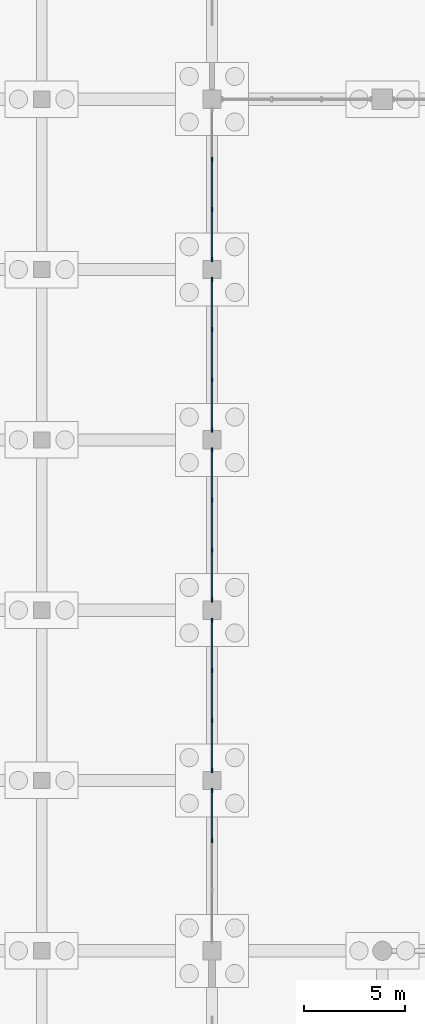
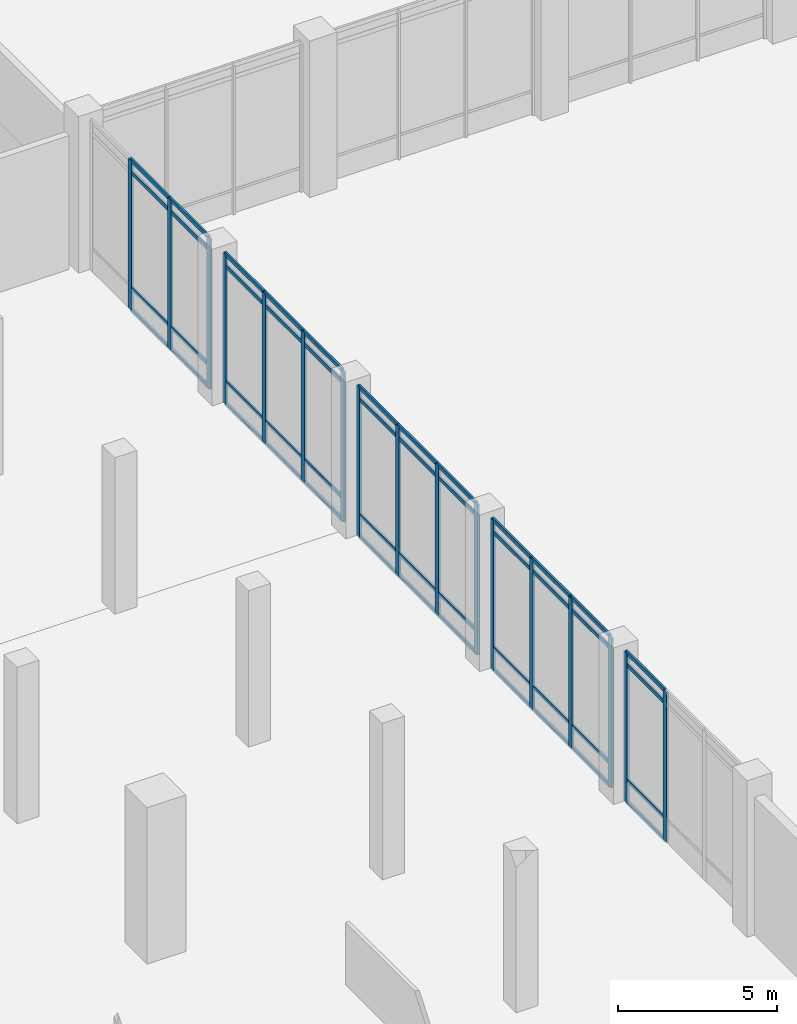
# One storey, part 24 of 72: 65 members, 5 elements without a shape of their own.
"""IFC4 building model written with IfcOpenShell, lengths in metres."""

from ifc_helpers import new_model, si_unit, direction, frame, origin, origin_2d, place, context, subcontext, project, spatial, rectangle, extrude, material, layer, layer_set, material_profile, profile_set, type_object, element, aggregate, save


model = new_model("IFC4")

# Units and contexts
model_context = context("Model", 3, precision=1e-05, world=origin(), true_north=direction((0.0, 1.0)))
body_context = subcontext(model_context, "Body", "Model", "MODEL_VIEW")
ifc_project = project(units=[si_unit("LENGTHUNIT", "METRE"), si_unit("AREAUNIT", "SQUARE_METRE"), si_unit("VOLUMEUNIT", "CUBIC_METRE"), si_unit("PLANEANGLEUNIT", "RADIAN"), si_unit("MASSUNIT", "GRAM", prefix="KILO")], contexts=[model_context])

# Site, building, storey
site_placement = place(None, origin())
site = spatial("IfcSite", under=ifc_project, at=site_placement, CompositionType="ELEMENT")
building_placement = place(site_placement, origin())
building = spatial("IfcBuilding", under=site, at=building_placement, Name="Qawsi Khor Wholesale Market", CompositionType="ELEMENT")
storey_placement = place(building_placement, origin())
storey = spatial("IfcBuildingStorey", under=building, at=storey_placement, Name="L00", CompositionType="ELEMENT", Elevation=0.0)

# Curtain wall, members
ifc_material = material(Name="Aluminium Anodised Bronze", Category="aluminium")
ifc_layer = layer(ifc_material, 0.199951171875, Name="Aluminium Anodised Bronze")
ifc_layer_set = layer_set([ifc_layer], Name="Aluminium Anodised Bronze")
curtain_wall_type = type_object("IfcCurtainWallType", Name="Trading Hall North-Light Curtain Wall CW-03", PredefinedType="NOTDEFINED", material=ifc_layer_set)
curtain_wall_1_placement = place(storey_placement, origin())
curtain_wall_1 = element("IfcCurtainWall", 1, at=curtain_wall_1_placement, inside=storey, type_object=curtain_wall_type, Name="Curtain wall CW-CW-03-L00-072", PredefinedType="NOTDEFINED")
ifc_material_profile_1 = material_profile(ifc_material, rectangle(XDim=0.074951171875, YDim=0.219970703125, at=origin_2d()), Name="ALU MULLION 75x220")
ifc_profile_set_1 = profile_set([ifc_material_profile_1], Name="Aluminium Anodised Bronze")
member_type_1 = type_object("IfcMemberType", Name="Curtain Wall Mullion CW-03 ALU MULLION 75x220", PredefinedType="MULLION", material=ifc_profile_set_1)
member_1_placement = place(storey_placement, frame((75.60009765625, 55.834228515625, -0.02001953125), z_axis=(0.0, 0.0, 1.0), x_axis=(1.0, 0.0, 0.0)))
member_1 = element("IfcMember", 2, at=member_1_placement, type_object=member_type_1, Name="Mullion CW-CW-03-L00-072-M02", PredefinedType="MULLION", context=body_context, shape_type="SweptSolid", body=[
    extrude(rectangle(XDim=0.074951171875, YDim=0.219970703125, at=origin_2d()), origin(), (0.0, 0.0, 1.0), 5.75),
])
member_2_placement = place(storey_placement, frame((75.60009765625, 58.302490234375, -0.02001953125), z_axis=(0.0, 0.0, 1.0), x_axis=(1.0, 0.0, 0.0)))
member_2 = element("IfcMember", 3, at=member_2_placement, type_object=member_type_1, Name="Mullion CW-CW-03-L00-072-M03", PredefinedType="MULLION", context=body_context, shape_type="SweptSolid", body=[
    extrude(rectangle(XDim=0.074951171875, YDim=0.219970703125, at=origin_2d()), origin(), (0.0, 0.0, 1.0), 5.75),
])

curtain_wall_2_placement = place(storey_placement, origin())
curtain_wall_2 = element("IfcCurtainWall", 4, at=curtain_wall_2_placement, inside=storey, type_object=curtain_wall_type, Name="Curtain wall CW-CW-03-L00-077", PredefinedType="NOTDEFINED")
member_3_placement = place(storey_placement, frame((75.60009765625, 59.297607421875, -0.02001953125), z_axis=(0.0, 0.0, 1.0), x_axis=(1.0, 0.0, 0.0)))
member_3 = element("IfcMember", 5, at=member_3_placement, type_object=member_type_1, Name="Mullion CW-CW-03-L00-077-M00", PredefinedType="MULLION", context=body_context, shape_type="SweptSolid", body=[
    extrude(rectangle(XDim=0.074951171875, YDim=0.219970703125, at=origin_2d()), origin(), (0.0, 0.0, 1.0), 5.75),
])
member_4_placement = place(storey_placement, frame((75.60009765625, 61.765869140625, -0.02001953125), z_axis=(0.0, 0.0, 1.0), x_axis=(1.0, 0.0, 0.0)))
member_4 = element("IfcMember", 6, at=member_4_placement, type_object=member_type_1, Name="Mullion CW-CW-03-L00-077-M01", PredefinedType="MULLION", context=body_context, shape_type="SweptSolid", body=[
    extrude(rectangle(XDim=0.074951171875, YDim=0.219970703125, at=origin_2d()), origin(), (0.0, 0.0, 1.0), 5.75),
])
member_5_placement = place(storey_placement, frame((75.60009765625, 64.234130859375, -0.02001953125), z_axis=(0.0, 0.0, 1.0), x_axis=(1.0, 0.0, 0.0)))
member_5 = element("IfcMember", 7, at=member_5_placement, type_object=member_type_1, Name="Mullion CW-CW-03-L00-077-M02", PredefinedType="MULLION", context=body_context, shape_type="SweptSolid", body=[
    extrude(rectangle(XDim=0.074951171875, YDim=0.219970703125, at=origin_2d()), origin(), (0.0, 0.0, 1.0), 5.75),
])
member_6_placement = place(storey_placement, frame((75.60009765625, 66.702392578125, -0.02001953125), z_axis=(0.0, 0.0, 1.0), x_axis=(1.0, 0.0, 0.0)))
member_6 = element("IfcMember", 8, at=member_6_placement, type_object=member_type_1, Name="Mullion CW-CW-03-L00-077-M03", PredefinedType="MULLION", context=body_context, shape_type="SweptSolid", body=[
    extrude(rectangle(XDim=0.074951171875, YDim=0.219970703125, at=origin_2d()), origin(), (0.0, 0.0, 1.0), 5.75),
])

curtain_wall_3_placement = place(storey_placement, origin())
curtain_wall_3 = element("IfcCurtainWall", 9, at=curtain_wall_3_placement, inside=storey, type_object=curtain_wall_type, Name="Curtain wall CW-CW-03-L00-082", PredefinedType="NOTDEFINED")
member_7_placement = place(storey_placement, frame((75.60009765625, 67.697509765625, -0.02001953125), z_axis=(0.0, 0.0, 1.0), x_axis=(1.0, 0.0, 0.0)))
member_7 = element("IfcMember", 10, at=member_7_placement, type_object=member_type_1, Name="Mullion CW-CW-03-L00-082-M00", PredefinedType="MULLION", context=body_context, shape_type="SweptSolid", body=[
    extrude(rectangle(XDim=0.074951171875, YDim=0.219970703125, at=origin_2d()), origin(), (0.0, 0.0, 1.0), 5.75),
])
member_8_placement = place(storey_placement, frame((75.60009765625, 70.165771484375, -0.02001953125), z_axis=(0.0, 0.0, 1.0), x_axis=(1.0, 0.0, 0.0)))
member_8 = element("IfcMember", 11, at=member_8_placement, type_object=member_type_1, Name="Mullion CW-CW-03-L00-082-M01", PredefinedType="MULLION", context=body_context, shape_type="SweptSolid", body=[
    extrude(rectangle(XDim=0.074951171875, YDim=0.219970703125, at=origin_2d()), origin(), (0.0, 0.0, 1.0), 5.75),
])
member_9_placement = place(storey_placement, frame((75.60009765625, 72.63427734375, -0.02001953125), z_axis=(0.0, 0.0, 1.0), x_axis=(1.0, 0.0, 0.0)))
member_9 = element("IfcMember", 12, at=member_9_placement, type_object=member_type_1, Name="Mullion CW-CW-03-L00-082-M02", PredefinedType="MULLION", context=body_context, shape_type="SweptSolid", body=[
    extrude(rectangle(XDim=0.074951171875, YDim=0.219970703125, at=origin_2d()), origin(), (0.0, 0.0, 1.0), 5.75),
])
member_10_placement = place(storey_placement, frame((75.60009765625, 75.1025390625, -0.02001953125), z_axis=(0.0, 0.0, 1.0), x_axis=(1.0, 0.0, 0.0)))
member_10 = element("IfcMember", 13, at=member_10_placement, type_object=member_type_1, Name="Mullion CW-CW-03-L00-082-M03", PredefinedType="MULLION", context=body_context, shape_type="SweptSolid", body=[
    extrude(rectangle(XDim=0.074951171875, YDim=0.219970703125, at=origin_2d()), origin(), (0.0, 0.0, 1.0), 5.75),
])

curtain_wall_4_placement = place(storey_placement, origin())
curtain_wall_4 = element("IfcCurtainWall", 14, at=curtain_wall_4_placement, inside=storey, type_object=curtain_wall_type, Name="Curtain wall CW-CW-03-L00-087", PredefinedType="NOTDEFINED")
member_11_placement = place(storey_placement, frame((75.60009765625, 76.097412109375, -0.02001953125), z_axis=(0.0, 0.0, 1.0), x_axis=(1.0, 0.0, 0.0)))
member_11 = element("IfcMember", 15, at=member_11_placement, type_object=member_type_1, Name="Mullion CW-CW-03-L00-087-M00", PredefinedType="MULLION", context=body_context, shape_type="SweptSolid", body=[
    extrude(rectangle(XDim=0.074951171875, YDim=0.219970703125, at=origin_2d()), origin(), (0.0, 0.0, 1.0), 5.75),
])
member_12_placement = place(storey_placement, frame((75.60009765625, 78.56591796875, -0.02001953125), z_axis=(0.0, 0.0, 1.0), x_axis=(1.0, 0.0, 0.0)))
member_12 = element("IfcMember", 16, at=member_12_placement, type_object=member_type_1, Name="Mullion CW-CW-03-L00-087-M01", PredefinedType="MULLION", context=body_context, shape_type="SweptSolid", body=[
    extrude(rectangle(XDim=0.074951171875, YDim=0.219970703125, at=origin_2d()), origin(), (0.0, 0.0, 1.0), 5.75),
])
member_13_placement = place(storey_placement, frame((75.60009765625, 81.0341796875, -0.02001953125), z_axis=(0.0, 0.0, 1.0), x_axis=(1.0, 0.0, 0.0)))
member_13 = element("IfcMember", 17, at=member_13_placement, type_object=member_type_1, Name="Mullion CW-CW-03-L00-087-M02", PredefinedType="MULLION", context=body_context, shape_type="SweptSolid", body=[
    extrude(rectangle(XDim=0.074951171875, YDim=0.219970703125, at=origin_2d()), origin(), (0.0, 0.0, 1.0), 5.75),
])
member_14_placement = place(storey_placement, frame((75.60009765625, 83.50244140625, -0.02001953125), z_axis=(0.0, 0.0, 1.0), x_axis=(1.0, 0.0, 0.0)))
member_14 = element("IfcMember", 18, at=member_14_placement, type_object=member_type_1, Name="Mullion CW-CW-03-L00-087-M03", PredefinedType="MULLION", context=body_context, shape_type="SweptSolid", body=[
    extrude(rectangle(XDim=0.074951171875, YDim=0.219970703125, at=origin_2d()), origin(), (0.0, 0.0, 1.0), 5.75),
])

curtain_wall_5_placement = place(storey_placement, origin())
curtain_wall_5 = element("IfcCurtainWall", 19, at=curtain_wall_5_placement, inside=storey, type_object=curtain_wall_type, Name="Curtain wall CW-CW-03-L00-092", PredefinedType="NOTDEFINED")
member_15_placement = place(storey_placement, frame((75.60009765625, 84.49755859375, -0.02001953125), z_axis=(0.0, 0.0, 1.0), x_axis=(1.0, 0.0, 0.0)))
member_15 = element("IfcMember", 20, at=member_15_placement, type_object=member_type_1, Name="Mullion CW-CW-03-L00-092-M00", PredefinedType="MULLION", context=body_context, shape_type="SweptSolid", body=[
    extrude(rectangle(XDim=0.074951171875, YDim=0.219970703125, at=origin_2d()), origin(), (0.0, 0.0, 1.0), 5.75),
])
member_16_placement = place(storey_placement, frame((75.60009765625, 86.9658203125, -0.02001953125), z_axis=(0.0, 0.0, 1.0), x_axis=(1.0, 0.0, 0.0)))
member_16 = element("IfcMember", 21, at=member_16_placement, type_object=member_type_1, Name="Mullion CW-CW-03-L00-092-M01", PredefinedType="MULLION", context=body_context, shape_type="SweptSolid", body=[
    extrude(rectangle(XDim=0.074951171875, YDim=0.219970703125, at=origin_2d()), origin(), (0.0, 0.0, 1.0), 5.75),
])
member_17_placement = place(storey_placement, frame((75.60009765625, 89.43408203125, -0.02001953125), z_axis=(0.0, 0.0, 1.0), x_axis=(1.0, 0.0, 0.0)))
member_17 = element("IfcMember", 22, at=member_17_placement, type_object=member_type_1, Name="Mullion CW-CW-03-L00-092-M02", PredefinedType="MULLION", context=body_context, shape_type="SweptSolid", body=[
    extrude(rectangle(XDim=0.074951171875, YDim=0.219970703125, at=origin_2d()), origin(), (0.0, 0.0, 1.0), 5.75),
])

# Member
ifc_material_profile_2 = material_profile(ifc_material, rectangle(XDim=0.070068359375, YDim=0.14990234375, at=origin_2d()), Name="ALU TRANSOM 70x150")
ifc_profile_set_2 = profile_set([ifc_material_profile_2], Name="Aluminium Anodised Bronze")
member_type_2 = type_object("IfcMemberType", Name="Curtain Wall Transom CW-03 ALU TRANSOM 70x150", PredefinedType="USERDEFINED", material=ifc_profile_set_2)
member_18_placement = place(storey_placement, frame((75.60009765625, 55.834228515625, 0.0), z_axis=(0.0, 1.0, 0.0), x_axis=(-1.0, 0.0, 0.0)))
member_18 = element("IfcMember", 23, at=member_18_placement, type_object=member_type_2, Name="Transom CW-CW-03-L00-072-T0_02", ObjectType="TRANSOM", PredefinedType="USERDEFINED", context=body_context, shape_type="SweptSolid", body=[
    extrude(rectangle(XDim=0.070068359375, YDim=0.14990234375, at=origin_2d()), origin(), (0.0, 0.0, 1.0), 2.46826171875),
])

member_19_placement = place(storey_placement, frame((75.60009765625, 55.834228515625, 0.85009765625), z_axis=(0.0, 1.0, 0.0), x_axis=(-1.0, 0.0, 0.0)))
member_19 = element("IfcMember", 24, at=member_19_placement, type_object=member_type_2, Name="Transom CW-CW-03-L00-072-T1_02", ObjectType="TRANSOM", PredefinedType="USERDEFINED", context=body_context, shape_type="SweptSolid", body=[
    extrude(rectangle(XDim=0.070068359375, YDim=0.14990234375, at=origin_2d()), origin(), (0.0, 0.0, 1.0), 2.46826171875),
])

member_20_placement = place(storey_placement, frame((75.60009765625, 55.834228515625, 5.280029296875), z_axis=(0.0, 1.0, 0.0), x_axis=(-1.0, 0.0, 0.0)))
member_20 = element("IfcMember", 25, at=member_20_placement, type_object=member_type_2, Name="Transom CW-CW-03-L00-072-T2_02", ObjectType="TRANSOM", PredefinedType="USERDEFINED", context=body_context, shape_type="SweptSolid", body=[
    extrude(rectangle(XDim=0.070068359375, YDim=0.14990234375, at=origin_2d()), origin(), (0.0, 0.0, 1.0), 2.46826171875),
])

member_21_placement = place(storey_placement, frame((75.60009765625, 55.834228515625, 5.72998046875), z_axis=(0.0, 1.0, 0.0), x_axis=(-1.0, 0.0, 0.0)))
member_21 = element("IfcMember", 26, at=member_21_placement, type_object=member_type_2, Name="Transom CW-CW-03-L00-072-T3_02", ObjectType="TRANSOM", PredefinedType="USERDEFINED", context=body_context, shape_type="SweptSolid", body=[
    extrude(rectangle(XDim=0.070068359375, YDim=0.14990234375, at=origin_2d()), origin(), (0.0, 0.0, 1.0), 2.46826171875),
])

aggregate(curtain_wall_1, [member_1, member_2, member_18, member_19, member_20, member_21])

member_22_placement = place(storey_placement, frame((75.60009765625, 59.297607421875, 0.0), z_axis=(0.0, 1.0, 0.0), x_axis=(-1.0, 0.0, 0.0)))
member_22 = element("IfcMember", 27, at=member_22_placement, type_object=member_type_2, Name="Transom CW-CW-03-L00-077-T0_00", ObjectType="TRANSOM", PredefinedType="USERDEFINED", context=body_context, shape_type="SweptSolid", body=[
    extrude(rectangle(XDim=0.070068359375, YDim=0.14990234375, at=origin_2d()), origin(), (0.0, 0.0, 1.0), 2.46826171875),
])

member_23_placement = place(storey_placement, frame((75.60009765625, 61.765869140625, 0.0), z_axis=(0.0, 1.0, 0.0), x_axis=(-1.0, 0.0, 0.0)))
member_23 = element("IfcMember", 28, at=member_23_placement, type_object=member_type_2, Name="Transom CW-CW-03-L00-077-T0_01", ObjectType="TRANSOM", PredefinedType="USERDEFINED", context=body_context, shape_type="SweptSolid", body=[
    extrude(rectangle(XDim=0.070068359375, YDim=0.14990234375, at=origin_2d()), origin(), (0.0, 0.0, 1.0), 2.46826171875),
])

member_24_placement = place(storey_placement, frame((75.60009765625, 64.234130859375, 0.0), z_axis=(0.0, 1.0, 0.0), x_axis=(-1.0, 0.0, 0.0)))
member_24 = element("IfcMember", 29, at=member_24_placement, type_object=member_type_2, Name="Transom CW-CW-03-L00-077-T0_02", ObjectType="TRANSOM", PredefinedType="USERDEFINED", context=body_context, shape_type="SweptSolid", body=[
    extrude(rectangle(XDim=0.070068359375, YDim=0.14990234375, at=origin_2d()), origin(), (0.0, 0.0, 1.0), 2.46826171875),
])

member_25_placement = place(storey_placement, frame((75.60009765625, 59.297607421875, 0.85009765625), z_axis=(0.0, 1.0, 0.0), x_axis=(-1.0, 0.0, 0.0)))
member_25 = element("IfcMember", 30, at=member_25_placement, type_object=member_type_2, Name="Transom CW-CW-03-L00-077-T1_00", ObjectType="TRANSOM", PredefinedType="USERDEFINED", context=body_context, shape_type="SweptSolid", body=[
    extrude(rectangle(XDim=0.070068359375, YDim=0.14990234375, at=origin_2d()), origin(), (0.0, 0.0, 1.0), 2.46826171875),
])

member_26_placement = place(storey_placement, frame((75.60009765625, 61.765869140625, 0.85009765625), z_axis=(0.0, 1.0, 0.0), x_axis=(-1.0, 0.0, 0.0)))
member_26 = element("IfcMember", 31, at=member_26_placement, type_object=member_type_2, Name="Transom CW-CW-03-L00-077-T1_01", ObjectType="TRANSOM", PredefinedType="USERDEFINED", context=body_context, shape_type="SweptSolid", body=[
    extrude(rectangle(XDim=0.070068359375, YDim=0.14990234375, at=origin_2d()), origin(), (0.0, 0.0, 1.0), 2.46826171875),
])

member_27_placement = place(storey_placement, frame((75.60009765625, 64.234130859375, 0.85009765625), z_axis=(0.0, 1.0, 0.0), x_axis=(-1.0, 0.0, 0.0)))
member_27 = element("IfcMember", 32, at=member_27_placement, type_object=member_type_2, Name="Transom CW-CW-03-L00-077-T1_02", ObjectType="TRANSOM", PredefinedType="USERDEFINED", context=body_context, shape_type="SweptSolid", body=[
    extrude(rectangle(XDim=0.070068359375, YDim=0.14990234375, at=origin_2d()), origin(), (0.0, 0.0, 1.0), 2.46826171875),
])

member_28_placement = place(storey_placement, frame((75.60009765625, 59.297607421875, 5.280029296875), z_axis=(0.0, 1.0, 0.0), x_axis=(-1.0, 0.0, 0.0)))
member_28 = element("IfcMember", 33, at=member_28_placement, type_object=member_type_2, Name="Transom CW-CW-03-L00-077-T2_00", ObjectType="TRANSOM", PredefinedType="USERDEFINED", context=body_context, shape_type="SweptSolid", body=[
    extrude(rectangle(XDim=0.070068359375, YDim=0.14990234375, at=origin_2d()), origin(), (0.0, 0.0, 1.0), 2.46826171875),
])

member_29_placement = place(storey_placement, frame((75.60009765625, 61.765869140625, 5.280029296875), z_axis=(0.0, 1.0, 0.0), x_axis=(-1.0, 0.0, 0.0)))
member_29 = element("IfcMember", 34, at=member_29_placement, type_object=member_type_2, Name="Transom CW-CW-03-L00-077-T2_01", ObjectType="TRANSOM", PredefinedType="USERDEFINED", context=body_context, shape_type="SweptSolid", body=[
    extrude(rectangle(XDim=0.070068359375, YDim=0.14990234375, at=origin_2d()), origin(), (0.0, 0.0, 1.0), 2.46826171875),
])

member_30_placement = place(storey_placement, frame((75.60009765625, 64.234130859375, 5.280029296875), z_axis=(0.0, 1.0, 0.0), x_axis=(-1.0, 0.0, 0.0)))
member_30 = element("IfcMember", 35, at=member_30_placement, type_object=member_type_2, Name="Transom CW-CW-03-L00-077-T2_02", ObjectType="TRANSOM", PredefinedType="USERDEFINED", context=body_context, shape_type="SweptSolid", body=[
    extrude(rectangle(XDim=0.070068359375, YDim=0.14990234375, at=origin_2d()), origin(), (0.0, 0.0, 1.0), 2.46826171875),
])

member_31_placement = place(storey_placement, frame((75.60009765625, 59.297607421875, 5.72998046875), z_axis=(0.0, 1.0, 0.0), x_axis=(-1.0, 0.0, 0.0)))
member_31 = element("IfcMember", 36, at=member_31_placement, type_object=member_type_2, Name="Transom CW-CW-03-L00-077-T3_00", ObjectType="TRANSOM", PredefinedType="USERDEFINED", context=body_context, shape_type="SweptSolid", body=[
    extrude(rectangle(XDim=0.070068359375, YDim=0.14990234375, at=origin_2d()), origin(), (0.0, 0.0, 1.0), 2.46826171875),
])

member_32_placement = place(storey_placement, frame((75.60009765625, 61.765869140625, 5.72998046875), z_axis=(0.0, 1.0, 0.0), x_axis=(-1.0, 0.0, 0.0)))
member_32 = element("IfcMember", 37, at=member_32_placement, type_object=member_type_2, Name="Transom CW-CW-03-L00-077-T3_01", ObjectType="TRANSOM", PredefinedType="USERDEFINED", context=body_context, shape_type="SweptSolid", body=[
    extrude(rectangle(XDim=0.070068359375, YDim=0.14990234375, at=origin_2d()), origin(), (0.0, 0.0, 1.0), 2.46826171875),
])

member_33_placement = place(storey_placement, frame((75.60009765625, 64.234130859375, 5.72998046875), z_axis=(0.0, 1.0, 0.0), x_axis=(-1.0, 0.0, 0.0)))
member_33 = element("IfcMember", 38, at=member_33_placement, type_object=member_type_2, Name="Transom CW-CW-03-L00-077-T3_02", ObjectType="TRANSOM", PredefinedType="USERDEFINED", context=body_context, shape_type="SweptSolid", body=[
    extrude(rectangle(XDim=0.070068359375, YDim=0.14990234375, at=origin_2d()), origin(), (0.0, 0.0, 1.0), 2.46826171875),
])

aggregate(curtain_wall_2, [member_3, member_4, member_5, member_6, member_22, member_23, member_24, member_25, member_26, member_27, member_28, member_29, member_30, member_31, member_32, member_33])

member_34_placement = place(storey_placement, frame((75.60009765625, 67.697509765625, 0.0), z_axis=(0.0, 1.0, 0.0), x_axis=(-1.0, 0.0, 0.0)))
member_34 = element("IfcMember", 39, at=member_34_placement, type_object=member_type_2, Name="Transom CW-CW-03-L00-082-T0_00", ObjectType="TRANSOM", PredefinedType="USERDEFINED", context=body_context, shape_type="SweptSolid", body=[
    extrude(rectangle(XDim=0.070068359375, YDim=0.14990234375, at=origin_2d()), origin(), (0.0, 0.0, 1.0), 2.46826171875),
])

member_35_placement = place(storey_placement, frame((75.60009765625, 70.165771484375, 0.0), z_axis=(0.0, 1.0, 0.0), x_axis=(-1.0, 0.0, 0.0)))
member_35 = element("IfcMember", 40, at=member_35_placement, type_object=member_type_2, Name="Transom CW-CW-03-L00-082-T0_01", ObjectType="TRANSOM", PredefinedType="USERDEFINED", context=body_context, shape_type="SweptSolid", body=[
    extrude(rectangle(XDim=0.070068359375, YDim=0.14990234375, at=origin_2d()), origin(), (0.0, 0.0, 1.0), 2.468505859375),
])

member_36_placement = place(storey_placement, frame((75.60009765625, 72.63427734375, 0.0), z_axis=(0.0, 1.0, 0.0), x_axis=(-1.0, 0.0, 0.0)))
member_36 = element("IfcMember", 41, at=member_36_placement, type_object=member_type_2, Name="Transom CW-CW-03-L00-082-T0_02", ObjectType="TRANSOM", PredefinedType="USERDEFINED", context=body_context, shape_type="SweptSolid", body=[
    extrude(rectangle(XDim=0.070068359375, YDim=0.14990234375, at=origin_2d()), origin(), (0.0, 0.0, 1.0), 2.46826171875),
])

member_37_placement = place(storey_placement, frame((75.60009765625, 67.697509765625, 0.85009765625), z_axis=(0.0, 1.0, 0.0), x_axis=(-1.0, 0.0, 0.0)))
member_37 = element("IfcMember", 42, at=member_37_placement, type_object=member_type_2, Name="Transom CW-CW-03-L00-082-T1_00", ObjectType="TRANSOM", PredefinedType="USERDEFINED", context=body_context, shape_type="SweptSolid", body=[
    extrude(rectangle(XDim=0.070068359375, YDim=0.14990234375, at=origin_2d()), origin(), (0.0, 0.0, 1.0), 2.46826171875),
])

member_38_placement = place(storey_placement, frame((75.60009765625, 70.165771484375, 0.85009765625), z_axis=(0.0, 1.0, 0.0), x_axis=(-1.0, 0.0, 0.0)))
member_38 = element("IfcMember", 43, at=member_38_placement, type_object=member_type_2, Name="Transom CW-CW-03-L00-082-T1_01", ObjectType="TRANSOM", PredefinedType="USERDEFINED", context=body_context, shape_type="SweptSolid", body=[
    extrude(rectangle(XDim=0.070068359375, YDim=0.14990234375, at=origin_2d()), origin(), (0.0, 0.0, 1.0), 2.468505859375),
])

member_39_placement = place(storey_placement, frame((75.60009765625, 72.63427734375, 0.85009765625), z_axis=(0.0, 1.0, 0.0), x_axis=(-1.0, 0.0, 0.0)))
member_39 = element("IfcMember", 44, at=member_39_placement, type_object=member_type_2, Name="Transom CW-CW-03-L00-082-T1_02", ObjectType="TRANSOM", PredefinedType="USERDEFINED", context=body_context, shape_type="SweptSolid", body=[
    extrude(rectangle(XDim=0.070068359375, YDim=0.14990234375, at=origin_2d()), origin(), (0.0, 0.0, 1.0), 2.46826171875),
])

member_40_placement = place(storey_placement, frame((75.60009765625, 67.697509765625, 5.280029296875), z_axis=(0.0, 1.0, 0.0), x_axis=(-1.0, 0.0, 0.0)))
member_40 = element("IfcMember", 45, at=member_40_placement, type_object=member_type_2, Name="Transom CW-CW-03-L00-082-T2_00", ObjectType="TRANSOM", PredefinedType="USERDEFINED", context=body_context, shape_type="SweptSolid", body=[
    extrude(rectangle(XDim=0.070068359375, YDim=0.14990234375, at=origin_2d()), origin(), (0.0, 0.0, 1.0), 2.46826171875),
])

member_41_placement = place(storey_placement, frame((75.60009765625, 70.165771484375, 5.280029296875), z_axis=(0.0, 1.0, 0.0), x_axis=(-1.0, 0.0, 0.0)))
member_41 = element("IfcMember", 46, at=member_41_placement, type_object=member_type_2, Name="Transom CW-CW-03-L00-082-T2_01", ObjectType="TRANSOM", PredefinedType="USERDEFINED", context=body_context, shape_type="SweptSolid", body=[
    extrude(rectangle(XDim=0.070068359375, YDim=0.14990234375, at=origin_2d()), origin(), (0.0, 0.0, 1.0), 2.468505859375),
])

member_42_placement = place(storey_placement, frame((75.60009765625, 72.63427734375, 5.280029296875), z_axis=(0.0, 1.0, 0.0), x_axis=(-1.0, 0.0, 0.0)))
member_42 = element("IfcMember", 47, at=member_42_placement, type_object=member_type_2, Name="Transom CW-CW-03-L00-082-T2_02", ObjectType="TRANSOM", PredefinedType="USERDEFINED", context=body_context, shape_type="SweptSolid", body=[
    extrude(rectangle(XDim=0.070068359375, YDim=0.14990234375, at=origin_2d()), origin(), (0.0, 0.0, 1.0), 2.46826171875),
])

member_43_placement = place(storey_placement, frame((75.60009765625, 67.697509765625, 5.72998046875), z_axis=(0.0, 1.0, 0.0), x_axis=(-1.0, 0.0, 0.0)))
member_43 = element("IfcMember", 48, at=member_43_placement, type_object=member_type_2, Name="Transom CW-CW-03-L00-082-T3_00", ObjectType="TRANSOM", PredefinedType="USERDEFINED", context=body_context, shape_type="SweptSolid", body=[
    extrude(rectangle(XDim=0.070068359375, YDim=0.14990234375, at=origin_2d()), origin(), (0.0, 0.0, 1.0), 2.46826171875),
])

member_44_placement = place(storey_placement, frame((75.60009765625, 70.165771484375, 5.72998046875), z_axis=(0.0, 1.0, 0.0), x_axis=(-1.0, 0.0, 0.0)))
member_44 = element("IfcMember", 49, at=member_44_placement, type_object=member_type_2, Name="Transom CW-CW-03-L00-082-T3_01", ObjectType="TRANSOM", PredefinedType="USERDEFINED", context=body_context, shape_type="SweptSolid", body=[
    extrude(rectangle(XDim=0.070068359375, YDim=0.14990234375, at=origin_2d()), origin(), (0.0, 0.0, 1.0), 2.468505859375),
])

member_45_placement = place(storey_placement, frame((75.60009765625, 72.63427734375, 5.72998046875), z_axis=(0.0, 1.0, 0.0), x_axis=(-1.0, 0.0, 0.0)))
member_45 = element("IfcMember", 50, at=member_45_placement, type_object=member_type_2, Name="Transom CW-CW-03-L00-082-T3_02", ObjectType="TRANSOM", PredefinedType="USERDEFINED", context=body_context, shape_type="SweptSolid", body=[
    extrude(rectangle(XDim=0.070068359375, YDim=0.14990234375, at=origin_2d()), origin(), (0.0, 0.0, 1.0), 2.46826171875),
])

aggregate(curtain_wall_3, [member_7, member_8, member_9, member_10, member_34, member_35, member_36, member_37, member_38, member_39, member_40, member_41, member_42, member_43, member_44, member_45])

member_46_placement = place(storey_placement, frame((75.60009765625, 76.097412109375, 0.0), z_axis=(0.0, 1.0, 0.0), x_axis=(-1.0, 0.0, 0.0)))
member_46 = element("IfcMember", 51, at=member_46_placement, type_object=member_type_2, Name="Transom CW-CW-03-L00-087-T0_00", ObjectType="TRANSOM", PredefinedType="USERDEFINED", context=body_context, shape_type="SweptSolid", body=[
    extrude(rectangle(XDim=0.070068359375, YDim=0.14990234375, at=origin_2d()), origin(), (0.0, 0.0, 1.0), 2.468505859375),
])

member_47_placement = place(storey_placement, frame((75.60009765625, 78.56591796875, 0.0), z_axis=(0.0, 1.0, 0.0), x_axis=(-1.0, 0.0, 0.0)))
member_47 = element("IfcMember", 52, at=member_47_placement, type_object=member_type_2, Name="Transom CW-CW-03-L00-087-T0_01", ObjectType="TRANSOM", PredefinedType="USERDEFINED", context=body_context, shape_type="SweptSolid", body=[
    extrude(rectangle(XDim=0.070068359375, YDim=0.14990234375, at=origin_2d()), origin(), (0.0, 0.0, 1.0), 2.46826171875),
])

member_48_placement = place(storey_placement, frame((75.60009765625, 81.0341796875, 0.0), z_axis=(0.0, 1.0, 0.0), x_axis=(-1.0, 0.0, 0.0)))
member_48 = element("IfcMember", 53, at=member_48_placement, type_object=member_type_2, Name="Transom CW-CW-03-L00-087-T0_02", ObjectType="TRANSOM", PredefinedType="USERDEFINED", context=body_context, shape_type="SweptSolid", body=[
    extrude(rectangle(XDim=0.070068359375, YDim=0.14990234375, at=origin_2d()), origin(), (0.0, 0.0, 1.0), 2.46826171875),
])

member_49_placement = place(storey_placement, frame((75.60009765625, 76.097412109375, 0.85009765625), z_axis=(0.0, 1.0, 0.0), x_axis=(-1.0, 0.0, 0.0)))
member_49 = element("IfcMember", 54, at=member_49_placement, type_object=member_type_2, Name="Transom CW-CW-03-L00-087-T1_00", ObjectType="TRANSOM", PredefinedType="USERDEFINED", context=body_context, shape_type="SweptSolid", body=[
    extrude(rectangle(XDim=0.070068359375, YDim=0.14990234375, at=origin_2d()), origin(), (0.0, 0.0, 1.0), 2.468505859375),
])

member_50_placement = place(storey_placement, frame((75.60009765625, 78.56591796875, 0.85009765625), z_axis=(0.0, 1.0, 0.0), x_axis=(-1.0, 0.0, 0.0)))
member_50 = element("IfcMember", 55, at=member_50_placement, type_object=member_type_2, Name="Transom CW-CW-03-L00-087-T1_01", ObjectType="TRANSOM", PredefinedType="USERDEFINED", context=body_context, shape_type="SweptSolid", body=[
    extrude(rectangle(XDim=0.070068359375, YDim=0.14990234375, at=origin_2d()), origin(), (0.0, 0.0, 1.0), 2.46826171875),
])

member_51_placement = place(storey_placement, frame((75.60009765625, 81.0341796875, 0.85009765625), z_axis=(0.0, 1.0, 0.0), x_axis=(-1.0, 0.0, 0.0)))
member_51 = element("IfcMember", 56, at=member_51_placement, type_object=member_type_2, Name="Transom CW-CW-03-L00-087-T1_02", ObjectType="TRANSOM", PredefinedType="USERDEFINED", context=body_context, shape_type="SweptSolid", body=[
    extrude(rectangle(XDim=0.070068359375, YDim=0.14990234375, at=origin_2d()), origin(), (0.0, 0.0, 1.0), 2.46826171875),
])

member_52_placement = place(storey_placement, frame((75.60009765625, 76.097412109375, 5.280029296875), z_axis=(0.0, 1.0, 0.0), x_axis=(-1.0, 0.0, 0.0)))
member_52 = element("IfcMember", 57, at=member_52_placement, type_object=member_type_2, Name="Transom CW-CW-03-L00-087-T2_00", ObjectType="TRANSOM", PredefinedType="USERDEFINED", context=body_context, shape_type="SweptSolid", body=[
    extrude(rectangle(XDim=0.070068359375, YDim=0.14990234375, at=origin_2d()), origin(), (0.0, 0.0, 1.0), 2.468505859375),
])

member_53_placement = place(storey_placement, frame((75.60009765625, 78.56591796875, 5.280029296875), z_axis=(0.0, 1.0, 0.0), x_axis=(-1.0, 0.0, 0.0)))
member_53 = element("IfcMember", 58, at=member_53_placement, type_object=member_type_2, Name="Transom CW-CW-03-L00-087-T2_01", ObjectType="TRANSOM", PredefinedType="USERDEFINED", context=body_context, shape_type="SweptSolid", body=[
    extrude(rectangle(XDim=0.070068359375, YDim=0.14990234375, at=origin_2d()), origin(), (0.0, 0.0, 1.0), 2.46826171875),
])

member_54_placement = place(storey_placement, frame((75.60009765625, 81.0341796875, 5.280029296875), z_axis=(0.0, 1.0, 0.0), x_axis=(-1.0, 0.0, 0.0)))
member_54 = element("IfcMember", 59, at=member_54_placement, type_object=member_type_2, Name="Transom CW-CW-03-L00-087-T2_02", ObjectType="TRANSOM", PredefinedType="USERDEFINED", context=body_context, shape_type="SweptSolid", body=[
    extrude(rectangle(XDim=0.070068359375, YDim=0.14990234375, at=origin_2d()), origin(), (0.0, 0.0, 1.0), 2.46826171875),
])

member_55_placement = place(storey_placement, frame((75.60009765625, 76.097412109375, 5.72998046875), z_axis=(0.0, 1.0, 0.0), x_axis=(-1.0, 0.0, 0.0)))
member_55 = element("IfcMember", 60, at=member_55_placement, type_object=member_type_2, Name="Transom CW-CW-03-L00-087-T3_00", ObjectType="TRANSOM", PredefinedType="USERDEFINED", context=body_context, shape_type="SweptSolid", body=[
    extrude(rectangle(XDim=0.070068359375, YDim=0.14990234375, at=origin_2d()), origin(), (0.0, 0.0, 1.0), 2.468505859375),
])

member_56_placement = place(storey_placement, frame((75.60009765625, 78.56591796875, 5.72998046875), z_axis=(0.0, 1.0, 0.0), x_axis=(-1.0, 0.0, 0.0)))
member_56 = element("IfcMember", 61, at=member_56_placement, type_object=member_type_2, Name="Transom CW-CW-03-L00-087-T3_01", ObjectType="TRANSOM", PredefinedType="USERDEFINED", context=body_context, shape_type="SweptSolid", body=[
    extrude(rectangle(XDim=0.070068359375, YDim=0.14990234375, at=origin_2d()), origin(), (0.0, 0.0, 1.0), 2.46826171875),
])

member_57_placement = place(storey_placement, frame((75.60009765625, 81.0341796875, 5.72998046875), z_axis=(0.0, 1.0, 0.0), x_axis=(-1.0, 0.0, 0.0)))
member_57 = element("IfcMember", 62, at=member_57_placement, type_object=member_type_2, Name="Transom CW-CW-03-L00-087-T3_02", ObjectType="TRANSOM", PredefinedType="USERDEFINED", context=body_context, shape_type="SweptSolid", body=[
    extrude(rectangle(XDim=0.070068359375, YDim=0.14990234375, at=origin_2d()), origin(), (0.0, 0.0, 1.0), 2.46826171875),
])

aggregate(curtain_wall_4, [member_11, member_12, member_13, member_14, member_46, member_47, member_48, member_49, member_50, member_51, member_52, member_53, member_54, member_55, member_56, member_57])

member_58_placement = place(storey_placement, frame((75.60009765625, 84.49755859375, 0.0), z_axis=(0.0, 1.0, 0.0), x_axis=(-1.0, 0.0, 0.0)))
member_58 = element("IfcMember", 63, at=member_58_placement, type_object=member_type_2, Name="Transom CW-CW-03-L00-092-T0_00", ObjectType="TRANSOM", PredefinedType="USERDEFINED", context=body_context, shape_type="SweptSolid", body=[
    extrude(rectangle(XDim=0.070068359375, YDim=0.14990234375, at=origin_2d()), origin(), (0.0, 0.0, 1.0), 2.46826171875),
])

member_59_placement = place(storey_placement, frame((75.60009765625, 86.9658203125, 0.0), z_axis=(0.0, 1.0, 0.0), x_axis=(-1.0, 0.0, 0.0)))
member_59 = element("IfcMember", 64, at=member_59_placement, type_object=member_type_2, Name="Transom CW-CW-03-L00-092-T0_01", ObjectType="TRANSOM", PredefinedType="USERDEFINED", context=body_context, shape_type="SweptSolid", body=[
    extrude(rectangle(XDim=0.070068359375, YDim=0.14990234375, at=origin_2d()), origin(), (0.0, 0.0, 1.0), 2.46826171875),
])

member_60_placement = place(storey_placement, frame((75.60009765625, 84.49755859375, 0.85009765625), z_axis=(0.0, 1.0, 0.0), x_axis=(-1.0, 0.0, 0.0)))
member_60 = element("IfcMember", 65, at=member_60_placement, type_object=member_type_2, Name="Transom CW-CW-03-L00-092-T1_00", ObjectType="TRANSOM", PredefinedType="USERDEFINED", context=body_context, shape_type="SweptSolid", body=[
    extrude(rectangle(XDim=0.070068359375, YDim=0.14990234375, at=origin_2d()), origin(), (0.0, 0.0, 1.0), 2.46826171875),
])

member_61_placement = place(storey_placement, frame((75.60009765625, 86.9658203125, 0.85009765625), z_axis=(0.0, 1.0, 0.0), x_axis=(-1.0, 0.0, 0.0)))
member_61 = element("IfcMember", 66, at=member_61_placement, type_object=member_type_2, Name="Transom CW-CW-03-L00-092-T1_01", ObjectType="TRANSOM", PredefinedType="USERDEFINED", context=body_context, shape_type="SweptSolid", body=[
    extrude(rectangle(XDim=0.070068359375, YDim=0.14990234375, at=origin_2d()), origin(), (0.0, 0.0, 1.0), 2.46826171875),
])

member_62_placement = place(storey_placement, frame((75.60009765625, 84.49755859375, 5.280029296875), z_axis=(0.0, 1.0, 0.0), x_axis=(-1.0, 0.0, 0.0)))
member_62 = element("IfcMember", 67, at=member_62_placement, type_object=member_type_2, Name="Transom CW-CW-03-L00-092-T2_00", ObjectType="TRANSOM", PredefinedType="USERDEFINED", context=body_context, shape_type="SweptSolid", body=[
    extrude(rectangle(XDim=0.070068359375, YDim=0.14990234375, at=origin_2d()), origin(), (0.0, 0.0, 1.0), 2.46826171875),
])

member_63_placement = place(storey_placement, frame((75.60009765625, 86.9658203125, 5.280029296875), z_axis=(0.0, 1.0, 0.0), x_axis=(-1.0, 0.0, 0.0)))
member_63 = element("IfcMember", 68, at=member_63_placement, type_object=member_type_2, Name="Transom CW-CW-03-L00-092-T2_01", ObjectType="TRANSOM", PredefinedType="USERDEFINED", context=body_context, shape_type="SweptSolid", body=[
    extrude(rectangle(XDim=0.070068359375, YDim=0.14990234375, at=origin_2d()), origin(), (0.0, 0.0, 1.0), 2.46826171875),
])

member_64_placement = place(storey_placement, frame((75.60009765625, 84.49755859375, 5.72998046875), z_axis=(0.0, 1.0, 0.0), x_axis=(-1.0, 0.0, 0.0)))
member_64 = element("IfcMember", 69, at=member_64_placement, type_object=member_type_2, Name="Transom CW-CW-03-L00-092-T3_00", ObjectType="TRANSOM", PredefinedType="USERDEFINED", context=body_context, shape_type="SweptSolid", body=[
    extrude(rectangle(XDim=0.070068359375, YDim=0.14990234375, at=origin_2d()), origin(), (0.0, 0.0, 1.0), 2.46826171875),
])

member_65_placement = place(storey_placement, frame((75.60009765625, 86.9658203125, 5.72998046875), z_axis=(0.0, 1.0, 0.0), x_axis=(-1.0, 0.0, 0.0)))
member_65 = element("IfcMember", 70, at=member_65_placement, type_object=member_type_2, Name="Transom CW-CW-03-L00-092-T3_01", ObjectType="TRANSOM", PredefinedType="USERDEFINED", context=body_context, shape_type="SweptSolid", body=[
    extrude(rectangle(XDim=0.070068359375, YDim=0.14990234375, at=origin_2d()), origin(), (0.0, 0.0, 1.0), 2.46826171875),
])

aggregate(curtain_wall_5, [member_15, member_16, member_17, member_58, member_59, member_60, member_61, member_62, member_63, member_64, member_65])

save(model, "model.ifc")
